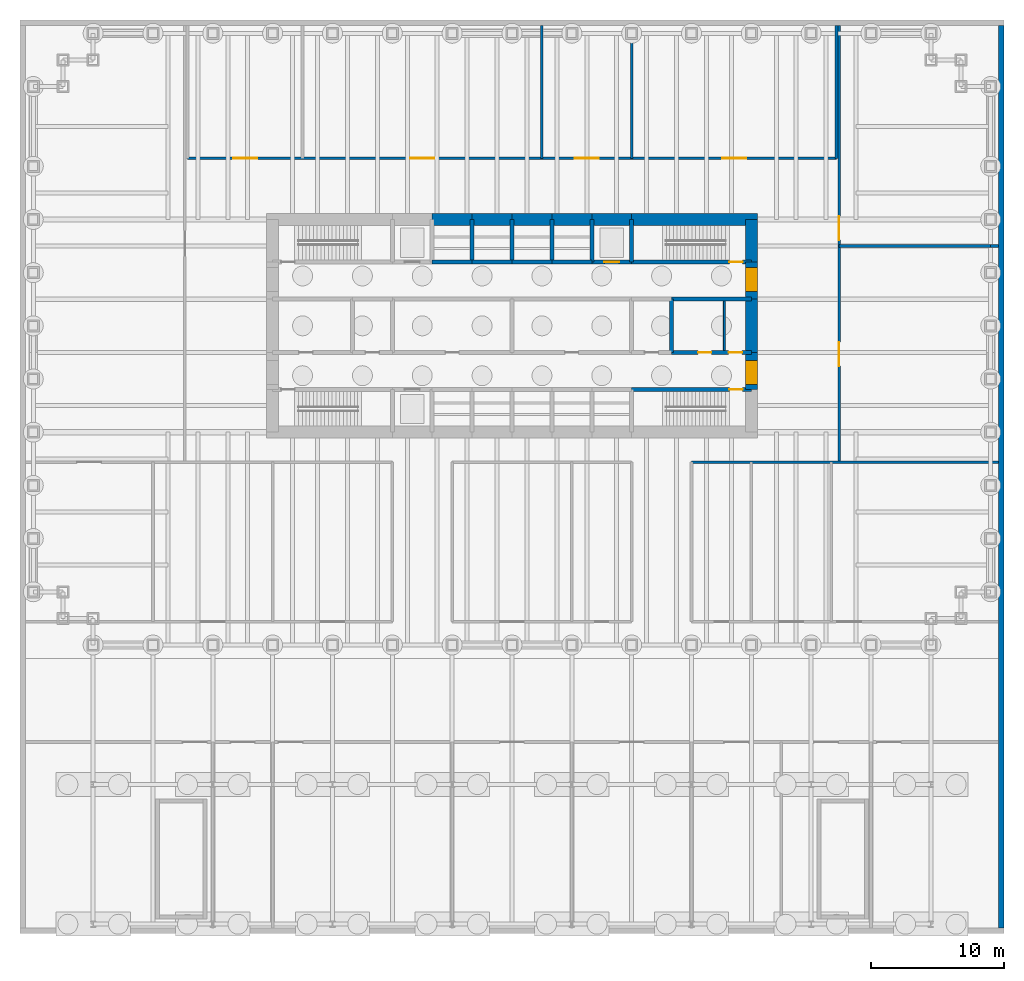
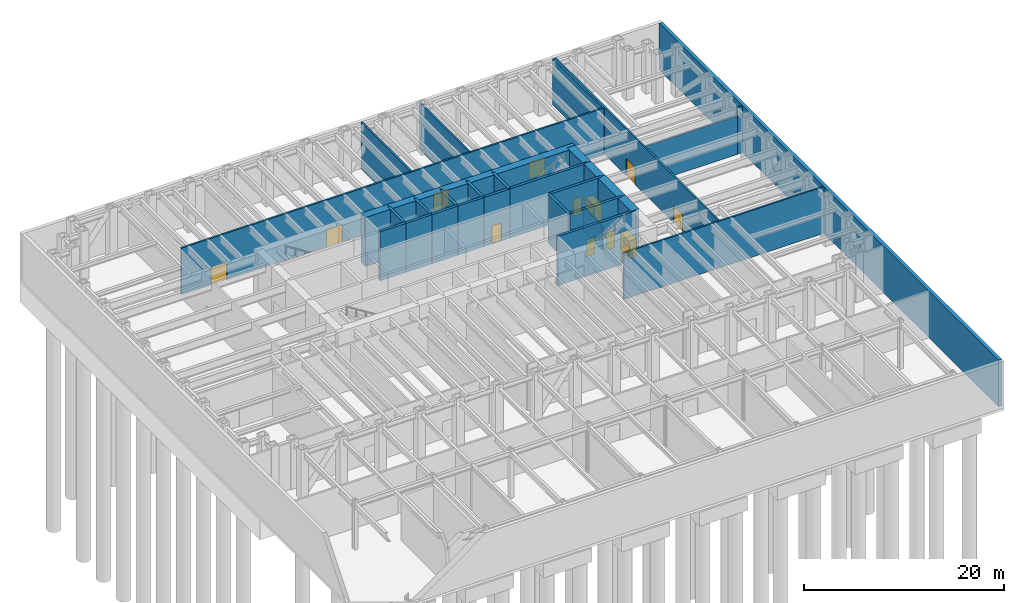
# One storey, part 6 of 9: 35 walls, 13 doors, 13 openings.
"""IFC4 building model written with IfcOpenShell, lengths in metres."""

from ifc_helpers import new_model, si_unit, direction, frame, frame_2d, origin, place, context, subcontext, project, spatial, rectangle, extrude, material, layer, layer_set, type_object, element, fill, save


model = new_model("IFC4")

# Units and contexts
model_context = context("Model", 3, precision=1e-05, world=origin(), true_north=direction((0.0, 1.0)))
body_context = subcontext(model_context, "Body", "Model", "MODEL_VIEW")
ifc_project = project(units=[si_unit("LENGTHUNIT", "METRE"), si_unit("AREAUNIT", "SQUARE_METRE"), si_unit("VOLUMEUNIT", "CUBIC_METRE"), si_unit("PLANEANGLEUNIT", "RADIAN"), si_unit("MASSUNIT", "GRAM", prefix="KILO")], contexts=[model_context])

# Site, building, storey
site_placement = place(None, origin())
site = spatial("IfcSite", under=ifc_project, at=site_placement, CompositionType="ELEMENT")
building_placement = place(site_placement, origin())
building = spatial("IfcBuilding", under=site, at=building_placement, Name="Rheinbord Bourse Tower", CompositionType="ELEMENT")
storey_placement = place(building_placement, frame((0.0, 0.0, -6.0)))
storey = spatial("IfcBuildingStorey", under=building, at=storey_placement, Name="B1", CompositionType="ELEMENT", Elevation=-6.0)

# Wall
ifc_material_1 = material(Name="Concrete C35/45", Category="concrete")
ifc_layer_1 = layer(ifc_material_1, 0.39990234375)
ifc_layer_set_1 = layer_set([ifc_layer_1], Name="BASEMENT RETAINING WALL 400")
wall_type_1 = type_object("IfcWallType", Name="BASEMENT RETAINING WALL 400", PredefinedType="SOLIDWALL", material=ifc_layer_set_1)
wall_1_placement = place(storey_placement, frame((72.800048828125, -21.300048828125, 0.0), z_axis=(0.0, 0.0, 1.0), x_axis=(0.0, 1.0, 0.0)))
element("IfcWall", 1, at=wall_1_placement, inside=storey, type_object=wall_type_1, Name="Basement retaining wall E", PredefinedType="SOLIDWALL", context=body_context, shape_type="SweptSolid", body=[
    extrude(rectangle(XDim=67.900146484375, YDim=0.39990234375, at=frame_2d((33.9501953125, 0.0))), origin(), (0.0, 0.0, 1.0), 5.699951171875),
])

# Wall, opening, door
ifc_material_2 = material(Name="Concrete C50/60", Category="concrete")
ifc_layer_2 = layer(ifc_material_2, 0.300048828125)
ifc_layer_set_2 = layer_set([ifc_layer_2], Name="CORE INNER WALL 300")
wall_type_2 = type_object("IfcWallType", Name="CORE INNER WALL 300", PredefinedType="SOLIDWALL", material=ifc_layer_set_2)
wall_2_placement = place(storey_placement, frame((45.0, 19.199951171875, 0.0), z_axis=(0.0, 0.0, 1.0), x_axis=(1.0, 0.0, 0.0)))
wall_2 = element("IfcWall", 2, at=wall_2_placement, inside=storey, type_object=wall_type_2, Name="Core wall A8 B1", PredefinedType="SOLIDWALL", context=body_context, shape_type="SweptSolid", body=[
    extrude(rectangle(XDim=9.0, YDim=0.300048828125, at=frame_2d((4.5, 0.0))), origin(), (0.0, 0.0, 1.0), 6.0),
])
opening_1_placement = place(wall_2_placement, frame((7.35009765625, 0.0, 0.0)))
opening_1 = element("IfcOpeningElement", 3, at=opening_1_placement, cuts=wall_2, Name="Opening B130", PredefinedType="OPENING", context=body_context, shape_type="SweptSolid", body=[
    extrude(rectangle(XDim=1.0, YDim=2.10009765625, at=frame_2d((0.5, 1.050048828125))), frame((0.0, 0.159912109375, 0.0), z_axis=(0.0, -1.0, 0.0), x_axis=(1.0, 0.0, 0.0)), (0.0, 0.0, 1.0), 0.320068359375),
])
ifc_material_3 = material(Name="Steel door", Category="steel")
door_type_1 = type_object("IfcDoorType", Name="DOOR 1000 EI30", OperationType="SINGLE_SWING_LEFT", PredefinedType="DOOR", material=ifc_material_3)
door_1_placement = place(opening_1_placement, origin())
door_1 = element("IfcDoor", 4, at=door_1_placement, inside=storey, type_object=door_type_1, Name="Stair door ST3 B1", OperationType="SINGLE_SWING_RIGHT", OverallHeight=2.10009765625, OverallWidth=1.0, PredefinedType="DOOR", context=body_context, shape_type="SweptSolid", body=[
    extrude(rectangle(XDim=1.0, YDim=2.10009765625, at=frame_2d((0.5, 1.050048828125))), frame((0.0, 0.02490234375, 0.0), z_axis=(0.0, -1.0, 0.0), x_axis=(1.0, 0.0, 0.0)), (0.0, 0.0, 1.0), 0.050048828125),
])
fill(opening_1, door_1)

# Walls
for number, where, z_axis, x_axis, name in (
    (5, (30.0, 28.800048828125, 0.0), (0.0, 0.0, 1.0), (1.0, 0.0, 0.0), "Core wall B3 B1"),
    (6, (33.0, 28.800048828125, 0.0), (0.0, 0.0, 1.0), (1.0, 0.0, 0.0), "Core wall B4 B1"),
    (7, (36.0, 28.800048828125, 0.0), (0.0, 0.0, 1.0), (1.0, 0.0, 0.0), "Core wall B5 B1"),
    (8, (39.0, 28.800048828125, 0.0), (0.0, 0.0, 1.0), (1.0, 0.0, 0.0), "Core wall B6 B1"),
):
    element("IfcWall", number, at=place(storey_placement, frame(where, z_axis=z_axis, x_axis=x_axis)), inside=storey, type_object=wall_type_2, Name=name, PredefinedType="SOLIDWALL", context=body_context, shape_type="SweptSolid", body=[
        extrude(rectangle(XDim=3.0, YDim=0.300048828125, at=frame_2d((1.5, 0.0))), origin(), (0.0, 0.0, 1.0), 6.0),
    ])

# Wall, opening, door
wall_3_placement = place(storey_placement, frame((42.0, 28.800048828125, 0.0), z_axis=(0.0, 0.0, 1.0), x_axis=(1.0, 0.0, 0.0)))
wall_3 = element("IfcWall", 9, at=wall_3_placement, inside=storey, type_object=wall_type_2, Name="Core wall B7 B1", PredefinedType="SOLIDWALL", context=body_context, shape_type="SweptSolid", body=[
    extrude(rectangle(XDim=3.0, YDim=0.300048828125, at=frame_2d((1.5, 0.0))), origin(), (0.0, 0.0, 1.0), 6.0),
])
opening_2_placement = place(wall_3_placement, frame((0.949951171875, 0.0, 0.0)))
opening_2 = element("IfcOpeningElement", 10, at=opening_2_placement, cuts=wall_3, Name="Opening FL2", PredefinedType="OPENING", context=body_context, shape_type="SweptSolid", body=[
    extrude(rectangle(XDim=1.10009765625, YDim=2.199951171875, at=frame_2d((0.550048828125, 1.10009765625))), frame((0.0, 0.159912109375, 0.0), z_axis=(0.0, -1.0, 0.0), x_axis=(1.0, 0.0, 0.0)), (0.0, 0.0, 1.0), 0.320068359375),
])
ifc_material_4 = material(Name="Steel landing door", Category="steel")
door_type_2 = type_object("IfcDoorType", Name="LIFT LANDING DOOR 1100", OperationType="DOUBLE_DOOR_SLIDING", PredefinedType="USERDEFINED", material=ifc_material_4)
door_2_placement = place(opening_2_placement, origin())
door_2 = element("IfcDoor", 11, at=door_2_placement, inside=storey, type_object=door_type_2, Name="Lift landing door FL2 B1", ObjectType="LIFT LANDING DOOR", OperationType="DOUBLE_DOOR_SLIDING", OverallHeight=2.199951171875, OverallWidth=1.10009765625, PredefinedType="USERDEFINED", context=body_context, shape_type="SweptSolid", body=[
    extrude(rectangle(XDim=1.10009765625, YDim=2.199951171875, at=frame_2d((0.550048828125, 1.10009765625))), frame((0.0, 0.02490234375, 0.0), z_axis=(0.0, -1.0, 0.0), x_axis=(1.0, 0.0, 0.0)), (0.0, 0.0, 1.0), 0.050048828125),
])
fill(opening_2, door_2)

wall_4_placement = place(storey_placement, frame((45.0, 28.800048828125, 0.0), z_axis=(0.0, 0.0, 1.0), x_axis=(1.0, 0.0, 0.0)))
wall_4 = element("IfcWall", 12, at=wall_4_placement, inside=storey, type_object=wall_type_2, Name="Core wall B8 B1", PredefinedType="SOLIDWALL", context=body_context, shape_type="SweptSolid", body=[
    extrude(rectangle(XDim=9.0, YDim=0.300048828125, at=frame_2d((4.5, 0.0))), origin(), (0.0, 0.0, 1.0), 6.0),
])
opening_3_placement = place(wall_4_placement, frame((7.35009765625, 0.0, 0.0)))
opening_3 = element("IfcOpeningElement", 13, at=opening_3_placement, cuts=wall_4, Name="Opening B140", PredefinedType="OPENING", context=body_context, shape_type="SweptSolid", body=[
    extrude(rectangle(XDim=1.0, YDim=2.10009765625, at=frame_2d((0.5, 1.050048828125))), frame((0.0, 0.159912109375, 0.0), z_axis=(0.0, -1.0, 0.0), x_axis=(1.0, 0.0, 0.0)), (0.0, 0.0, 1.0), 0.320068359375),
])
door_3_placement = place(opening_3_placement, origin())
door_3 = element("IfcDoor", 14, at=door_3_placement, inside=storey, type_object=door_type_1, Name="Stair door ST4 B1", OperationType="SINGLE_SWING_RIGHT", OverallHeight=2.10009765625, OverallWidth=1.0, PredefinedType="DOOR", context=body_context, shape_type="SweptSolid", body=[
    extrude(rectangle(XDim=1.0, YDim=2.10009765625, at=frame_2d((0.5, 1.050048828125))), frame((0.0, 0.02490234375, 0.0), z_axis=(0.0, -1.0, 0.0), x_axis=(1.0, 0.0, 0.0)), (0.0, 0.0, 1.0), 0.050048828125),
])
fill(opening_3, door_3)

# Wall, openings, doors
wall_5_placement = place(storey_placement, frame((48.0, 22.0, 0.0), z_axis=(0.0, 0.0, 1.0), x_axis=(1.0, 0.0, 0.0)))
wall_5 = element("IfcWall", 15, at=wall_5_placement, inside=storey, type_object=wall_type_2, Name="Core wall C6 B1", PredefinedType="SOLIDWALL", context=body_context, shape_type="SweptSolid", body=[
    extrude(rectangle(XDim=6.0, YDim=0.300048828125, at=frame_2d((3.0, 0.0))), origin(), (0.0, 0.0, 1.0), 6.0),
])
opening_4_placement = place(wall_5_placement, frame((2.0, 0.0, 0.0)))
opening_4 = element("IfcOpeningElement", 16, at=opening_4_placement, cuts=wall_5, Name="Opening B1R6", PredefinedType="OPENING", context=body_context, shape_type="SweptSolid", body=[
    extrude(rectangle(XDim=1.0, YDim=2.10009765625, at=frame_2d((0.5, 1.050048828125))), frame((0.0, 0.159912109375, 0.0), z_axis=(0.0, -1.0, 0.0), x_axis=(1.0, 0.0, 0.0)), (0.0, 0.0, 1.0), 0.320068359375),
])
opening_5_placement = place(wall_5_placement, frame((4.300048828125, 0.0, 0.0)))
opening_5 = element("IfcOpeningElement", 17, at=opening_5_placement, cuts=wall_5, Name="Opening B1R10", PredefinedType="OPENING", context=body_context, shape_type="SweptSolid", body=[
    extrude(rectangle(XDim=1.0, YDim=2.10009765625, at=frame_2d((0.5, 1.050048828125))), frame((0.0, 0.159912109375, 0.0), z_axis=(0.0, -1.0, 0.0), x_axis=(1.0, 0.0, 0.0)), (0.0, 0.0, 1.0), 0.320068359375),
])
door_4_placement = place(opening_5_placement, origin())
door_4 = element("IfcDoor", 18, at=door_4_placement, inside=storey, type_object=door_type_1, Name="Cleaner's store door B1", OperationType="SINGLE_SWING_RIGHT", OverallHeight=2.10009765625, OverallWidth=1.0, PredefinedType="DOOR", context=body_context, shape_type="SweptSolid", body=[
    extrude(rectangle(XDim=1.0, YDim=2.10009765625, at=frame_2d((0.5, 1.050048828125))), frame((0.0, 0.02490234375, 0.0), z_axis=(0.0, -1.0, 0.0), x_axis=(1.0, 0.0, 0.0)), (0.0, 0.0, 1.0), 0.050048828125),
])
fill(opening_5, door_4)
ifc_material_5 = material(Name="Timber door", Category="wood")
door_type_3 = type_object("IfcDoorType", Name="DOOR 1000 WC", OperationType="SINGLE_SWING_LEFT", PredefinedType="DOOR", material=ifc_material_5)
door_5_placement = place(opening_4_placement, origin())
door_5 = element("IfcDoor", 19, at=door_5_placement, inside=storey, type_object=door_type_3, Name="WC women door B1", OperationType="SINGLE_SWING_LEFT", OverallHeight=2.10009765625, OverallWidth=1.0, PredefinedType="DOOR", context=body_context, shape_type="SweptSolid", body=[
    extrude(rectangle(XDim=1.0, YDim=2.10009765625, at=frame_2d((0.5, 1.050048828125))), frame((0.0, 0.02490234375, 0.0), z_axis=(0.0, -1.0, 0.0), x_axis=(1.0, 0.0, 0.0)), (0.0, 0.0, 1.0), 0.050048828125),
])
fill(opening_4, door_5)

# Walls
wall_6_placement = place(storey_placement, frame((48.0, 26.0, 0.0), z_axis=(0.0, 0.0, 1.0), x_axis=(1.0, 0.0, 0.0)))
element("IfcWall", 20, at=wall_6_placement, inside=storey, type_object=wall_type_2, Name="Core wall D6 B1", PredefinedType="SOLIDWALL", context=body_context, shape_type="SweptSolid", body=[
    extrude(rectangle(XDim=6.0, YDim=0.300048828125, at=frame_2d((3.0, 0.0))), origin(), (0.0, 0.0, 1.0), 6.0),
])
for number, where, z_axis, x_axis, name in (
    (21, (33.0, 28.800048828125, 0.0), (0.0, 0.0, 1.0), (0.0, 1.0, 0.0), "Core wall NX33 B1"),
    (22, (36.0, 28.800048828125, 0.0), (0.0, 0.0, 1.0), (0.0, 1.0, 0.0), "Core wall NX36 B1"),
    (23, (39.0, 28.800048828125, 0.0), (0.0, 0.0, 1.0), (0.0, 1.0, 0.0), "Core wall NX39 B1"),
    (24, (42.0, 28.800048828125, 0.0), (0.0, 0.0, 1.0), (0.0, 1.0, 0.0), "Core wall NX42 B1"),
    (25, (45.0, 28.800048828125, 0.0), (0.0, 0.0, 1.0), (0.0, 1.0, 0.0), "Core wall NX45 B1"),
):
    element("IfcWall", number, at=place(storey_placement, frame(where, z_axis=z_axis, x_axis=x_axis)), inside=storey, type_object=wall_type_2, Name=name, PredefinedType="SOLIDWALL", context=body_context, shape_type="SweptSolid", body=[
        extrude(rectangle(XDim=3.199951171875, YDim=0.300048828125, at=frame_2d((1.60009765625, 0.0))), origin(), (0.0, 0.0, 1.0), 6.0),
    ])
wall_7_placement = place(storey_placement, frame((48.0, 22.0, 0.0), z_axis=(0.0, 0.0, 1.0), x_axis=(0.0, 1.0, 0.0)))
element("IfcWall", 26, at=wall_7_placement, inside=storey, type_object=wall_type_2, Name="Core wall MX48 B1", PredefinedType="SOLIDWALL", context=body_context, shape_type="SweptSolid", body=[
    extrude(rectangle(XDim=4.0, YDim=0.300048828125, at=frame_2d((2.0, 0.0))), origin(), (0.0, 0.0, 1.0), 6.0),
])
ifc_material_6 = material(Name="Gypsum board fire partition", Category="gypsum board")
ifc_layer_3 = layer(ifc_material_6, 0.14990234375)
ifc_layer_set_3 = layer_set([ifc_layer_3], Name="CORE PARTITION 150 EI30")
wall_type_3 = type_object("IfcWallType", Name="CORE PARTITION 150 EI30", PredefinedType="PARTITIONING", material=ifc_layer_set_3)
wall_8_placement = place(storey_placement, frame((51.97509765625, 22.14990234375, 0.0), z_axis=(0.0, 0.0, 1.0), x_axis=(0.0, 1.0, 0.0)))
element("IfcWall", 27, at=wall_8_placement, inside=storey, type_object=wall_type_3, Name="Core partition B1-3", PredefinedType="PARTITIONING", context=body_context, shape_type="SweptSolid", body=[
    extrude(rectangle(XDim=3.7001953125, YDim=0.14990234375, at=frame_2d((1.85009765625, 0.0))), origin(), (0.0, 0.0, 1.0), 3.0),
])
ifc_material_7 = material(Name="Concrete C50/60", Category="concrete")
ifc_layer_4 = layer(ifc_material_7, 0.89990234375)
ifc_layer_set_4 = layer_set([ifc_layer_4], Name="CORE WALL 900")
wall_type_4 = type_object("IfcWallType", Name="CORE WALL 900", PredefinedType="SHEAR", material=ifc_layer_set_4)
wall_9_placement = place(storey_placement, frame((54.449951171875, 32.0, 0.0), z_axis=(0.0, 0.0, 1.0), x_axis=(-1.0, 0.0, 0.0)))
element("IfcWall", 28, at=wall_9_placement, inside=storey, type_object=wall_type_4, Name="Core wall N1 B1", PredefinedType="SHEAR", context=body_context, shape_type="SweptSolid", body=[
    extrude(rectangle(XDim=9.449951171875, YDim=0.89990234375, at=frame_2d((4.72509765625, 0.0))), origin(), (0.0, 0.0, 1.0), 6.0),
])
for number, where, z_axis, x_axis, name in (
    (29, (45.0, 32.0, 0.0), (0.0, 0.0, 1.0), (-1.0, 0.0, 0.0), "Core wall N2 B1"),
    (30, (42.0, 32.0, 0.0), (0.0, 0.0, 1.0), (-1.0, 0.0, 0.0), "Core wall N3 B1"),
    (31, (39.0, 32.0, 0.0), (0.0, 0.0, 1.0), (-1.0, 0.0, 0.0), "Core wall N4 B1"),
    (32, (36.0, 32.0, 0.0), (0.0, 0.0, 1.0), (-1.0, 0.0, 0.0), "Core wall N5 B1"),
    (33, (33.0, 32.0, 0.0), (0.0, 0.0, 1.0), (-1.0, 0.0, 0.0), "Core wall N6 B1"),
):
    element("IfcWall", number, at=place(storey_placement, frame(where, z_axis=z_axis, x_axis=x_axis)), inside=storey, type_object=wall_type_4, Name=name, PredefinedType="SHEAR", context=body_context, shape_type="SweptSolid", body=[
        extrude(rectangle(XDim=3.0, YDim=0.89990234375, at=frame_2d((1.5, 0.0))), origin(), (0.0, 0.0, 1.0), 6.0),
    ])

# Wall, opening, door
wall_10_placement = place(storey_placement, frame((54.0, 19.199951171875, 0.0), z_axis=(0.0, 0.0, 1.0), x_axis=(0.0, 1.0, 0.0)))
wall_10 = element("IfcWall", 34, at=wall_10_placement, inside=storey, type_object=wall_type_4, Name="Core wall E2 B1", PredefinedType="SHEAR", context=body_context, shape_type="SweptSolid", body=[
    extrude(rectangle(XDim=2.800048828125, YDim=0.89990234375, at=frame_2d((1.39990234375, 0.0))), origin(), (0.0, 0.0, 1.0), 6.0),
])
opening_6_placement = place(wall_10_placement, frame((0.39990234375, 0.0, 0.0)))
opening_6 = element("IfcOpeningElement", 35, at=opening_6_placement, cuts=wall_10, Name="Opening B1L3", PredefinedType="OPENING", context=body_context, shape_type="SweptSolid", body=[
    extrude(rectangle(XDim=1.800048828125, YDim=2.10009765625, at=frame_2d((0.89990234375, 1.050048828125))), frame((0.0, 0.4599609375, 0.0), z_axis=(0.0, -1.0, 0.0), x_axis=(1.0, 0.0, 0.0)), (0.0, 0.0, 1.0), 0.919921875),
])
ifc_material_8 = material(Name="Steel door", Category="steel")
door_type_4 = type_object("IfcDoorType", Name="DOOR 1800 EI30 DOUBLE", OperationType="DOUBLE_DOOR_DOUBLE_SWING", PredefinedType="DOOR", material=ifc_material_8)
door_6_placement = place(opening_6_placement, origin())
door_6 = element("IfcDoor", 36, at=door_6_placement, inside=storey, type_object=door_type_4, Name="Lobby door 3 B1", OperationType="SINGLE_SWING_LEFT", OverallHeight=2.10009765625, OverallWidth=1.800048828125, PredefinedType="DOOR", context=body_context, shape_type="SweptSolid", body=[
    extrude(rectangle(XDim=1.800048828125, YDim=2.10009765625, at=frame_2d((0.89990234375, 1.050048828125))), frame((0.0, 0.44970703125, 0.0), z_axis=(0.0, -1.0, 0.0), x_axis=(1.0, 0.0, 0.0)), (0.0, 0.0, 1.0), 0.8994140625),
])
fill(opening_6, door_6)

# Wall
wall_11_placement = place(storey_placement, frame((54.0, 22.0, 0.0), z_axis=(0.0, 0.0, 1.0), x_axis=(0.0, 1.0, 0.0)))
element("IfcWall", 37, at=wall_11_placement, inside=storey, type_object=wall_type_4, Name="Core wall E3 B1", PredefinedType="SHEAR", context=body_context, shape_type="SweptSolid", body=[
    extrude(rectangle(XDim=4.0, YDim=0.89990234375, at=frame_2d((2.0, 0.0))), origin(), (0.0, 0.0, 1.0), 6.0),
])

# Wall, opening, door
wall_12_placement = place(storey_placement, frame((54.0, 26.0, 0.0), z_axis=(0.0, 0.0, 1.0), x_axis=(0.0, 1.0, 0.0)))
wall_12 = element("IfcWall", 38, at=wall_12_placement, inside=storey, type_object=wall_type_4, Name="Core wall E4 B1", PredefinedType="SHEAR", context=body_context, shape_type="SweptSolid", body=[
    extrude(rectangle(XDim=2.800048828125, YDim=0.89990234375, at=frame_2d((1.39990234375, 0.0))), origin(), (0.0, 0.0, 1.0), 6.0),
])
opening_7_placement = place(wall_12_placement, frame((0.60009765625, 0.0, 0.0)))
opening_7 = element("IfcOpeningElement", 39, at=opening_7_placement, cuts=wall_12, Name="Opening B1L4", PredefinedType="OPENING", context=body_context, shape_type="SweptSolid", body=[
    extrude(rectangle(XDim=1.800048828125, YDim=2.10009765625, at=frame_2d((0.89990234375, 1.050048828125))), frame((0.0, 0.4599609375, 0.0), z_axis=(0.0, -1.0, 0.0), x_axis=(1.0, 0.0, 0.0)), (0.0, 0.0, 1.0), 0.919921875),
])
door_7_placement = place(opening_7_placement, origin())
door_7 = element("IfcDoor", 40, at=door_7_placement, inside=storey, type_object=door_type_4, Name="Lobby door 4 B1", OperationType="SINGLE_SWING_LEFT", OverallHeight=2.10009765625, OverallWidth=1.800048828125, PredefinedType="DOOR", context=body_context, shape_type="SweptSolid", body=[
    extrude(rectangle(XDim=1.800048828125, YDim=2.10009765625, at=frame_2d((0.89990234375, 1.050048828125))), frame((0.0, 0.44970703125, 0.0), z_axis=(0.0, -1.0, 0.0), x_axis=(1.0, 0.0, 0.0)), (0.0, 0.0, 1.0), 0.8994140625),
])
fill(opening_7, door_7)

# Walls
wall_13_placement = place(storey_placement, frame((54.0, 28.800048828125, 0.0), z_axis=(0.0, 0.0, 1.0), x_axis=(0.0, 1.0, 0.0)))
element("IfcWall", 41, at=wall_13_placement, inside=storey, type_object=wall_type_4, Name="Core wall E5 B1", PredefinedType="SHEAR", context=body_context, shape_type="SweptSolid", body=[
    extrude(rectangle(XDim=3.199951171875, YDim=0.89990234375, at=frame_2d((1.60009765625, 0.0))), origin(), (0.0, 0.0, 1.0), 6.0),
])
ifc_material_9 = material(Name="Concrete block plant room wall", Category="concrete")
ifc_layer_5 = layer(ifc_material_9, 0.199951171875)
ifc_layer_set_5 = layer_set([ifc_layer_5], Name="PLANT ROOM PARTITION 200 EI90")
wall_type_5 = type_object("IfcWallType", Name="PLANT ROOM PARTITION 200 EI90", PredefinedType="PARTITIONING", material=ifc_layer_set_5)
wall_14_placement = place(storey_placement, frame((49.5, 13.75, 0.0), z_axis=(0.0, 0.0, 1.0), x_axis=(1.0, 0.0, 0.0)))
element("IfcWall", 42, at=wall_14_placement, inside=storey, type_object=wall_type_5, Name="Partition B1-07", PredefinedType="PARTITIONING", context=body_context, shape_type="SweptSolid", body=[
    extrude(rectangle(XDim=23.090087890625, YDim=0.199951171875, at=frame_2d((11.544921875, 0.0))), origin(), (0.0, 0.0, 1.0), 5.699951171875),
])
wall_15_placement = place(storey_placement, frame((60.60009765625, 30.0, 0.0), z_axis=(0.0, 0.0, 1.0), x_axis=(1.0, 0.0, 0.0)))
element("IfcWall", 43, at=wall_15_placement, inside=storey, type_object=wall_type_5, Name="Partition B1-08", PredefinedType="PARTITIONING", context=body_context, shape_type="SweptSolid", body=[
    extrude(rectangle(XDim=11.39990234375, YDim=0.199951171875, at=frame_2d((5.699951171875, 0.0))), origin(), (0.0, 0.0, 1.0), 4.69189453125),
])
wall_16_placement = place(storey_placement, frame((72.0, 30.0, 0.0), z_axis=(0.0, 0.0, 1.0), x_axis=(1.0, 0.0, 0.0)))
element("IfcWall", 44, at=wall_16_placement, inside=storey, type_object=wall_type_5, Name="Partition B1-08b", PredefinedType="PARTITIONING", context=body_context, shape_type="SweptSolid", body=[
    extrude(rectangle(XDim=0.590087890625, YDim=0.199951171875, at=frame_2d((0.294921875, 0.0))), origin(), (0.0, 0.0, 1.0), 5.699951171875),
])

# Wall, openings, doors
wall_17_placement = place(storey_placement, frame((11.60009765625, 36.60009765625, 0.0), z_axis=(0.0, 0.0, 1.0), x_axis=(1.0, 0.0, 0.0)))
wall_17 = element("IfcWall", 45, at=wall_17_placement, inside=storey, type_object=wall_type_5, Name="Partition B1-09", PredefinedType="PARTITIONING", context=body_context, shape_type="SweptSolid", body=[
    extrude(rectangle(XDim=48.7998046875, YDim=0.199951171875, at=frame_2d((24.39990234375, 0.0))), origin(), (0.0, 0.0, 1.0), 5.699951171875),
])
opening_8_placement = place(wall_17_placement, frame((3.425048828125, 0.0, 0.0)))
opening_8 = element("IfcOpeningElement", 46, at=opening_8_placement, cuts=wall_17, Name="Opening B1P20", PredefinedType="OPENING", context=body_context, shape_type="SweptSolid", body=[
    extrude(rectangle(XDim=1.800048828125, YDim=2.10009765625, at=frame_2d((0.89990234375, 1.050048828125))), frame((0.0, 0.10986328125, 0.0), z_axis=(0.0, -1.0, 0.0), x_axis=(1.0, 0.0, 0.0)), (0.0, 0.0, 1.0), 0.219970703125),
])
opening_9_placement = place(wall_17_placement, frame((29.125, 0.0, 0.0)))
opening_9 = element("IfcOpeningElement", 47, at=opening_9_placement, cuts=wall_17, Name="Opening B1P21", PredefinedType="OPENING", context=body_context, shape_type="SweptSolid", body=[
    extrude(rectangle(XDim=1.800048828125, YDim=2.10009765625, at=frame_2d((0.89990234375, 1.050048828125))), frame((0.0, 0.10986328125, 0.0), z_axis=(0.0, -1.0, 0.0), x_axis=(1.0, 0.0, 0.0)), (0.0, 0.0, 1.0), 0.219970703125),
])
opening_10_placement = place(wall_17_placement, frame((40.199951171875, 0.0, 0.0)))
opening_10 = element("IfcOpeningElement", 48, at=opening_10_placement, cuts=wall_17, Name="Opening B1P22", PredefinedType="OPENING", context=body_context, shape_type="SweptSolid", body=[
    extrude(rectangle(XDim=1.800048828125, YDim=2.10009765625, at=frame_2d((0.89990234375, 1.050048828125))), frame((0.0, 0.10986328125, 0.0), z_axis=(0.0, -1.0, 0.0), x_axis=(1.0, 0.0, 0.0)), (0.0, 0.0, 1.0), 0.219970703125),
])
opening_11_placement = place(wall_17_placement, frame((16.75, 0.0, 0.0)))
opening_11 = element("IfcOpeningElement", 49, at=opening_11_placement, cuts=wall_17, Name="Opening B1P23", PredefinedType="OPENING", context=body_context, shape_type="SweptSolid", body=[
    extrude(rectangle(XDim=1.800048828125, YDim=2.10009765625, at=frame_2d((0.89990234375, 1.050048828125))), frame((0.0, 0.10986328125, 0.0), z_axis=(0.0, -1.0, 0.0), x_axis=(1.0, 0.0, 0.0)), (0.0, 0.0, 1.0), 0.219970703125),
])
ifc_material_10 = material(Name="Steel fire door", Category="steel")
door_type_5 = type_object("IfcDoorType", Name="PLANT ROOM DOUBLE DOOR 1800 EI60", OperationType="DOUBLE_DOOR_DOUBLE_SWING", PredefinedType="DOOR", material=ifc_material_10)
door_8_placement = place(opening_8_placement, origin())
door_8 = element("IfcDoor", 50, at=door_8_placement, inside=storey, type_object=door_type_5, Name="LV switch room 2 door B1", OperationType="SINGLE_SWING_LEFT", OverallHeight=2.10009765625, OverallWidth=1.800048828125, PredefinedType="DOOR", context=body_context, shape_type="SweptSolid", body=[
    extrude(rectangle(XDim=1.800048828125, YDim=2.10009765625, at=frame_2d((0.89990234375, 1.050048828125))), frame((0.0, 0.02490234375, 0.0), z_axis=(0.0, -1.0, 0.0), x_axis=(1.0, 0.0, 0.0)), (0.0, 0.0, 1.0), 0.050048828125),
])
fill(opening_8, door_8)
door_9_placement = place(opening_9_placement, origin())
door_9 = element("IfcDoor", 51, at=door_9_placement, inside=storey, type_object=door_type_5, Name="Rising main booster pump room door B1", OperationType="SINGLE_SWING_LEFT", OverallHeight=2.10009765625, OverallWidth=1.800048828125, PredefinedType="DOOR", context=body_context, shape_type="SweptSolid", body=[
    extrude(rectangle(XDim=1.800048828125, YDim=2.10009765625, at=frame_2d((0.89990234375, 1.050048828125))), frame((0.0, 0.02490234375, 0.0), z_axis=(0.0, -1.0, 0.0), x_axis=(1.0, 0.0, 0.0)), (0.0, 0.0, 1.0), 0.050048828125),
])
fill(opening_9, door_9)
door_10_placement = place(opening_10_placement, origin())
door_10 = element("IfcDoor", 52, at=door_10_placement, inside=storey, type_object=door_type_5, Name="Plant store door B1", OperationType="SINGLE_SWING_LEFT", OverallHeight=2.10009765625, OverallWidth=1.800048828125, PredefinedType="DOOR", context=body_context, shape_type="SweptSolid", body=[
    extrude(rectangle(XDim=1.800048828125, YDim=2.10009765625, at=frame_2d((0.89990234375, 1.050048828125))), frame((0.0, 0.02490234375, 0.0), z_axis=(0.0, -1.0, 0.0), x_axis=(1.0, 0.0, 0.0)), (0.0, 0.0, 1.0), 0.050048828125),
])
fill(opening_10, door_10)
door_11_placement = place(opening_11_placement, origin())
door_11 = element("IfcDoor", 53, at=door_11_placement, inside=storey, type_object=door_type_5, Name="Basement air handling plant room door B1", OperationType="SINGLE_SWING_LEFT", OverallHeight=2.10009765625, OverallWidth=1.800048828125, PredefinedType="DOOR", context=body_context, shape_type="SweptSolid", body=[
    extrude(rectangle(XDim=1.800048828125, YDim=2.10009765625, at=frame_2d((0.89990234375, 1.050048828125))), frame((0.0, 0.02490234375, 0.0), z_axis=(0.0, -1.0, 0.0), x_axis=(1.0, 0.0, 0.0)), (0.0, 0.0, 1.0), 0.050048828125),
])
fill(opening_11, door_11)

# Walls
for number, where, z_axis, x_axis, name in (
    (54, (38.25, 36.60009765625, 0.0), (0.0, 0.0, 1.0), (0.0, 1.0, 0.0), "Partition B1-20"),
    (55, (45.0, 36.60009765625, 0.0), (0.0, 0.0, 1.0), (0.0, 1.0, 0.0), "Partition B1-24"),
    (56, (60.39990234375, 36.60009765625, 0.0), (0.0, 0.0, 1.0), (0.0, 1.0, 0.0), "Partition B1-30"),
):
    element("IfcWall", number, at=place(storey_placement, frame(where, z_axis=z_axis, x_axis=x_axis)), inside=storey, type_object=wall_type_5, Name=name, PredefinedType="PARTITIONING", context=body_context, shape_type="SweptSolid", body=[
        extrude(rectangle(XDim=9.989990234375, YDim=0.199951171875, at=frame_2d((4.9951171875, 0.0))), origin(), (0.0, 0.0, 1.0), 5.699951171875),
    ])

# Wall, openings, doors
wall_18_placement = place(storey_placement, frame((60.60009765625, 13.75, 0.0), z_axis=(0.0, 0.0, 1.0), x_axis=(0.0, 1.0, 0.0)))
wall_18 = element("IfcWall", 57, at=wall_18_placement, inside=storey, type_object=wall_type_5, Name="Partition B1-31", PredefinedType="PARTITIONING", context=body_context, shape_type="SweptSolid", body=[
    extrude(rectangle(XDim=32.840087890625, YDim=0.199951171875, at=frame_2d((16.419921875, 0.0))), origin(), (0.0, 0.0, 1.0), 5.699951171875),
])
opening_12_placement = place(wall_18_placement, frame((7.22509765625, 0.0, 0.0)))
opening_12 = element("IfcOpeningElement", 58, at=opening_12_placement, cuts=wall_18, Name="Opening B1P17", PredefinedType="OPENING", context=body_context, shape_type="SweptSolid", body=[
    extrude(rectangle(XDim=1.800048828125, YDim=2.10009765625, at=frame_2d((0.89990234375, 1.050048828125))), frame((0.0, 0.10986328125, 0.0), z_axis=(0.0, -1.0, 0.0), x_axis=(1.0, 0.0, 0.0)), (0.0, 0.0, 1.0), 0.219970703125),
])
opening_13_placement = place(wall_18_placement, frame((16.699951171875, 0.0, 0.0)))
opening_13 = element("IfcOpeningElement", 59, at=opening_13_placement, cuts=wall_18, Name="Opening B1P19", PredefinedType="OPENING", context=body_context, shape_type="SweptSolid", body=[
    extrude(rectangle(XDim=1.800048828125, YDim=2.10009765625, at=frame_2d((0.89990234375, 1.050048828125))), frame((0.0, 0.10986328125, 0.0), z_axis=(0.0, -1.0, 0.0), x_axis=(1.0, 0.0, 0.0)), (0.0, 0.0, 1.0), 0.219970703125),
])
door_12_placement = place(opening_12_placement, origin())
door_12 = element("IfcDoor", 60, at=door_12_placement, inside=storey, type_object=door_type_5, Name="Rhine water heat exchanger room door B1", OperationType="SINGLE_SWING_LEFT", OverallHeight=2.10009765625, OverallWidth=1.800048828125, PredefinedType="DOOR", context=body_context, shape_type="SweptSolid", body=[
    extrude(rectangle(XDim=1.800048828125, YDim=2.10009765625, at=frame_2d((0.89990234375, 1.050048828125))), frame((0.0, 0.02490234375, 0.0), z_axis=(0.0, -1.0, 0.0), x_axis=(1.0, 0.0, 0.0)), (0.0, 0.0, 1.0), 0.050048828125),
])
fill(opening_12, door_12)
door_13_placement = place(opening_13_placement, origin())
door_13 = element("IfcDoor", 61, at=door_13_placement, inside=storey, type_object=door_type_5, Name="Chilled water pump room door B1", OperationType="SINGLE_SWING_LEFT", OverallHeight=2.10009765625, OverallWidth=1.800048828125, PredefinedType="DOOR", context=body_context, shape_type="SweptSolid", body=[
    extrude(rectangle(XDim=1.800048828125, YDim=2.10009765625, at=frame_2d((0.89990234375, 1.050048828125))), frame((0.0, 0.02490234375, 0.0), z_axis=(0.0, -1.0, 0.0), x_axis=(1.0, 0.0, 0.0)), (0.0, 0.0, 1.0), 0.050048828125),
])
fill(opening_13, door_13)

save(model, "model.ifc")
